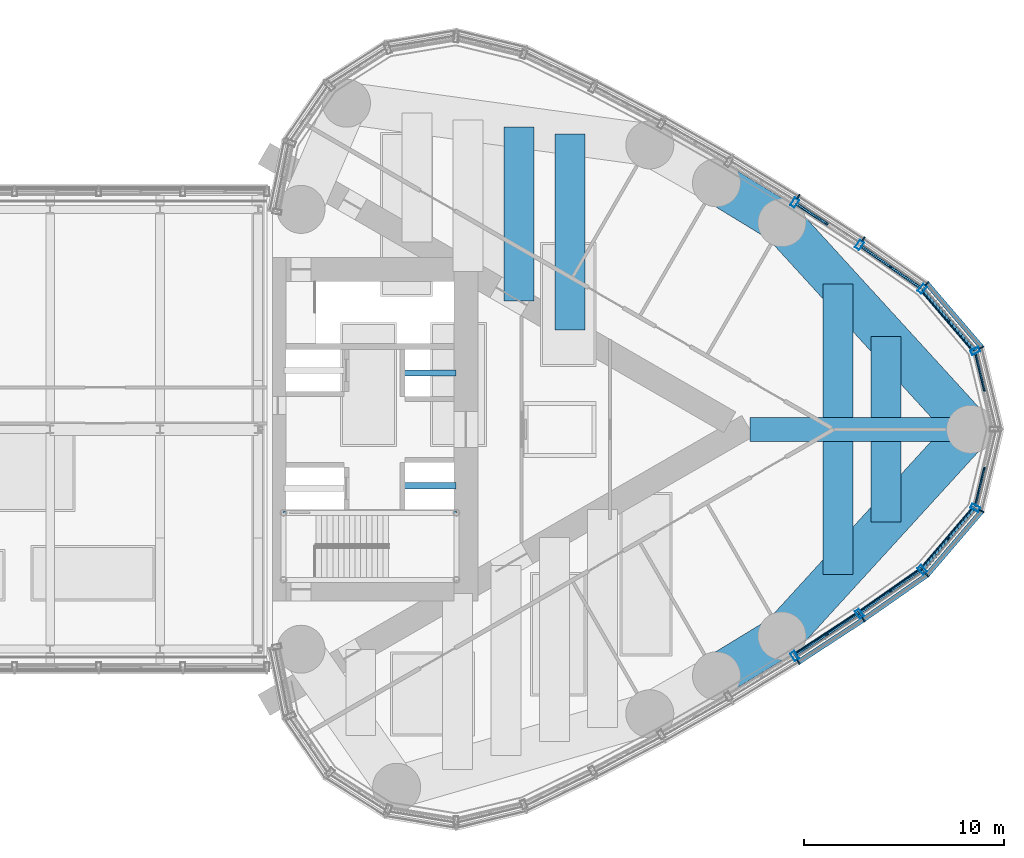
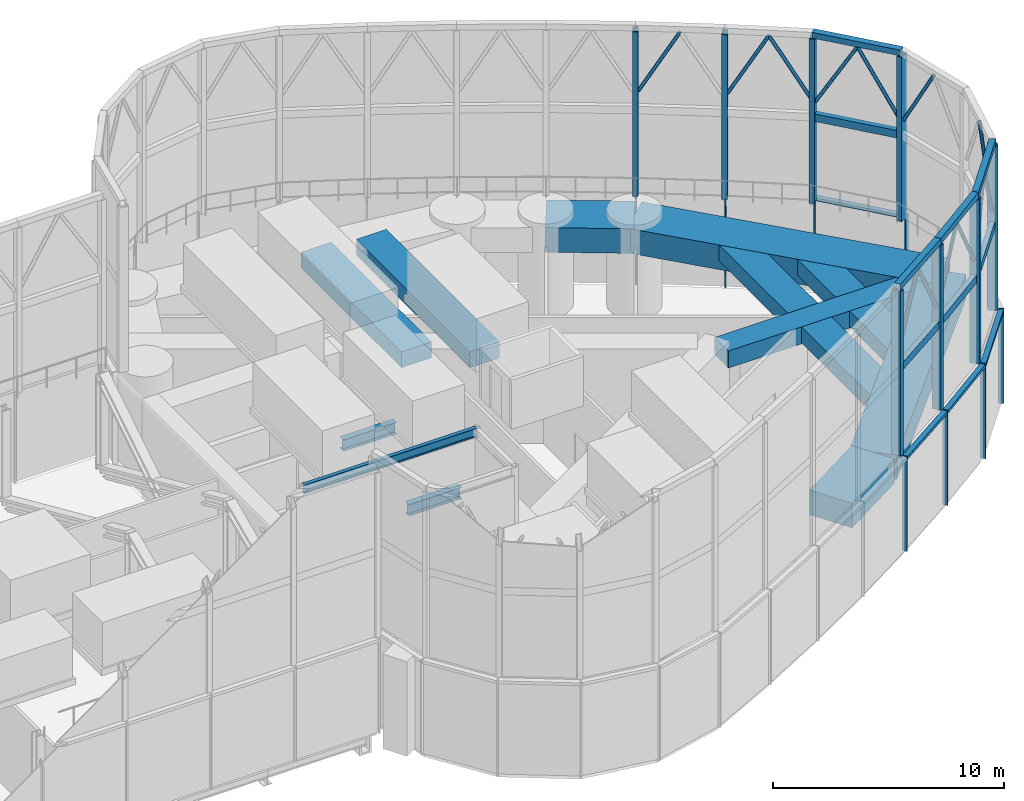
# One storey, part 17 of 33: 41 members, 14 beams, 2 elements without a shape of their own.
"""IFC4 building model written with IfcOpenShell, lengths in metres."""

from ifc_helpers import new_model, si_unit, direction, frame, origin, origin_2d, place, context, subcontext, project, spatial, rectangle, hollow_rectangle, hollow_circle, i_section, extrude, material, material_profile, profile_set, type_object, element, aggregate, save


model = new_model("IFC4")

# Units and contexts
model_context = context("Model", 3, precision=1e-05, world=origin(), true_north=direction((0.0, 1.0)))
body_context = subcontext(model_context, "Body", "Model", "MODEL_VIEW")
ifc_project = project(units=[si_unit("LENGTHUNIT", "METRE"), si_unit("AREAUNIT", "SQUARE_METRE"), si_unit("VOLUMEUNIT", "CUBIC_METRE"), si_unit("PLANEANGLEUNIT", "RADIAN"), si_unit("MASSUNIT", "GRAM", prefix="KILO")], contexts=[model_context])

# Site, building, storey
site_placement = place(None, origin())
site = spatial("IfcSite", under=ifc_project, at=site_placement, CompositionType="ELEMENT")
building_placement = place(site_placement, origin())
building = spatial("IfcBuilding", under=site, at=building_placement, Name="Lancet Gate Hotel", CompositionType="ELEMENT")
storey_placement = place(building_placement, frame((0.0, 0.0, 268.300048828125)))
storey = spatial("IfcBuildingStorey", under=building, at=storey_placement, Name="L70", CompositionType="ELEMENT", Elevation=268.300048828125)

# Curtain wall, members
ifc_material_1 = material(Name="Aluminium curtain wall", Category="aluminium")
curtain_wall_type_1 = type_object("IfcCurtainWallType", Name="Lantern crown glazing", PredefinedType="USERDEFINED", material=ifc_material_1)
curtain_wall_1_placement = place(storey_placement, origin())
curtain_wall_1 = element("IfcCurtainWall", 1, at=curtain_wall_1_placement, inside=storey, type_object=curtain_wall_type_1, Name="T2 L70 curtain wall 1", ObjectType="LANTERN GLAZING", PredefinedType="USERDEFINED")
ifc_material_2 = material(Name="Aluminium mullion", Category="aluminium")
ifc_material_profile_1 = material_profile(ifc_material_2, rectangle(XDim=0.06494140625, YDim=0.25, at=origin_2d()), Name="MULLION 65x250")
ifc_profile_set_1 = profile_set([ifc_material_profile_1], Name="Aluminium mullion")
member_type_1 = type_object("IfcMemberType", Name="Aluminium mullion 65x250", PredefinedType="MULLION", material=ifc_profile_set_1)
member_1_placement = place(storey_placement, frame((53.935791015625, -11.644287109375, 0.0), z_axis=(0.0, 0.0, 1.0), x_axis=(0.845339753513, 0.534229071777, 0.0)))
member_1 = element("IfcMember", 2, at=member_1_placement, type_object=member_type_1, Name="T2 L70 curtain wall 1 mullion 10", PredefinedType="MULLION", context=body_context, shape_type="SweptSolid", body=[
    extrude(rectangle(XDim=0.06494140625, YDim=0.25, at=origin_2d()), origin(), (0.0, 0.0, 1.0), 5.0),
])
member_2_placement = place(storey_placement, frame((57.185791015625, -9.518310546875, 0.0), z_axis=(0.0, 0.0, 1.0), x_axis=(0.828154697184, 0.560499596371, 0.0)))
member_2 = element("IfcMember", 3, at=member_2_placement, type_object=member_type_1, Name="T2 L70 curtain wall 1 mullion 11", PredefinedType="MULLION", context=body_context, shape_type="SweptSolid", body=[
    extrude(rectangle(XDim=0.06494140625, YDim=0.25, at=origin_2d()), origin(), (0.0, 0.0, 1.0), 5.0),
])
member_3_placement = place(storey_placement, frame((60.367431640625, -7.291259765625, 0.0), z_axis=(0.0, 0.0, 1.0), x_axis=(0.737323173512, 0.675540182226, 0.0)))
member_3 = element("IfcMember", 4, at=member_3_placement, type_object=member_type_1, Name="T2 L70 curtain wall 1 mullion 12", PredefinedType="MULLION", context=body_context, shape_type="SweptSolid", body=[
    extrude(rectangle(XDim=0.06494140625, YDim=0.25, at=origin_2d()), origin(), (0.0, 0.0, 1.0), 5.0),
])
member_4_placement = place(storey_placement, frame((63.1064453125, -4.09375, 0.0), z_axis=(0.0, 0.0, 1.0), x_axis=(0.454852851296, 0.890566608215, 0.0)))
member_4 = element("IfcMember", 5, at=member_4_placement, type_object=member_type_1, Name="T2 L70 curtain wall 1 mullion 13", PredefinedType="MULLION", context=body_context, shape_type="SweptSolid", body=[
    extrude(rectangle(XDim=0.06494140625, YDim=0.25, at=origin_2d()), origin(), (0.0, 0.0, 1.0), 5.0),
])
member_5_placement = place(storey_placement, frame((63.1064453125, 4.09375, 0.0), z_axis=(0.0, 0.0, 1.0), x_axis=(-0.454852851296, 0.890566608215, 0.0)))
member_5 = element("IfcMember", 6, at=member_5_placement, type_object=member_type_1, Name="T2 L70 curtain wall 1 mullion 15", PredefinedType="MULLION", context=body_context, shape_type="SweptSolid", body=[
    extrude(rectangle(XDim=0.06494140625, YDim=0.25, at=origin_2d()), origin(), (0.0, 0.0, 1.0), 5.0),
])
member_6_placement = place(storey_placement, frame((60.367431640625, 7.291259765625, 0.0), z_axis=(0.0, 0.0, 1.0), x_axis=(-0.737323173512, 0.675540182226, 0.0)))
member_6 = element("IfcMember", 7, at=member_6_placement, type_object=member_type_1, Name="T2 L70 curtain wall 1 mullion 16", PredefinedType="MULLION", context=body_context, shape_type="SweptSolid", body=[
    extrude(rectangle(XDim=0.06494140625, YDim=0.25, at=origin_2d()), origin(), (0.0, 0.0, 1.0), 5.0),
])
member_7_placement = place(storey_placement, frame((57.185791015625, 9.518310546875, 0.0), z_axis=(0.0, 0.0, 1.0), x_axis=(-0.828154697184, 0.560499596371, 0.0)))
member_7 = element("IfcMember", 8, at=member_7_placement, type_object=member_type_1, Name="T2 L70 curtain wall 1 mullion 17", PredefinedType="MULLION", context=body_context, shape_type="SweptSolid", body=[
    extrude(rectangle(XDim=0.06494140625, YDim=0.25, at=origin_2d()), origin(), (0.0, 0.0, 1.0), 5.0),
])
member_8_placement = place(storey_placement, frame((53.935791015625, 11.644287109375, 0.0), z_axis=(0.0, 0.0, 1.0), x_axis=(-0.845339753513, 0.534229071777, 0.0)))
member_8 = element("IfcMember", 9, at=member_8_placement, type_object=member_type_1, Name="T2 L70 curtain wall 1 mullion 18", PredefinedType="MULLION", context=body_context, shape_type="SweptSolid", body=[
    extrude(rectangle(XDim=0.06494140625, YDim=0.25, at=origin_2d()), origin(), (0.0, 0.0, 1.0), 5.0),
])
ifc_material_3 = material(Name="Aluminium transom", Category="aluminium")
ifc_material_profile_2 = material_profile(ifc_material_3, rectangle(XDim=0.25, YDim=0.14990234375, at=origin_2d()), Name="TRANSOM 250x150")
ifc_profile_set_2 = profile_set([ifc_material_profile_2], Name="Aluminium transom")
member_type_2 = type_object("IfcMemberType", Name="Aluminium transom 250x150", PredefinedType="USERDEFINED", material=ifc_profile_set_2)
member_9_placement = place(storey_placement, frame((53.962890625, -11.62646484375, 4.925048828125), z_axis=(0.836858089593, 0.547419891749, 0.0), x_axis=(-0.547419891749, 0.836858089593, 0.0)))
member_9 = element("IfcMember", 10, at=member_9_placement, type_object=member_type_2, Name="T2 L70 curtain wall 1 transom 10", ObjectType="TRANSOM", PredefinedType="USERDEFINED", context=body_context, shape_type="SweptSolid", body=[
    extrude(rectangle(XDim=0.25, YDim=0.14990234375, at=origin_2d()), origin(), (0.0, 0.0, 1.0), 3.818603515625),
])
member_10_placement = place(storey_placement, frame((57.21240234375, -9.499755859375, 4.925048828125), z_axis=(0.819255948852, 0.573428016642, 0.0), x_axis=(-0.573428016642, 0.819255948852, 0.0)))
member_10 = element("IfcMember", 11, at=member_10_placement, type_object=member_type_2, Name="T2 L70 curtain wall 1 transom 11", ObjectType="TRANSOM", PredefinedType="USERDEFINED", context=body_context, shape_type="SweptSolid", body=[
    extrude(rectangle(XDim=0.25, YDim=0.14990234375, at=origin_2d()), origin(), (0.0, 0.0, 1.0), 3.818603515625),
])
member_11_placement = place(storey_placement, frame((60.388427734375, -7.2666015625, 4.925048828125), z_axis=(0.650592500186, 0.759427019997, 0.0), x_axis=(-0.759427019997, 0.650592500186, 0.0)))
member_11 = element("IfcMember", 12, at=member_11_placement, type_object=member_type_2, Name="T2 L70 curtain wall 1 transom 12", ObjectType="TRANSOM", PredefinedType="USERDEFINED", context=body_context, shape_type="SweptSolid", body=[
    extrude(rectangle(XDim=0.25, YDim=0.14990234375, at=origin_2d()), origin(), (0.0, 0.0, 1.0), 4.1455078125),
])
member_12_placement = place(storey_placement, frame((63.08544921875, 4.118408203125, 4.925048828125), z_axis=(-0.650592500186, 0.759427019997, 0.0), x_axis=(-0.759427019997, -0.650592500186, 0.0)))
member_12 = element("IfcMember", 13, at=member_12_placement, type_object=member_type_2, Name="T2 L70 curtain wall 1 transom 15", ObjectType="TRANSOM", PredefinedType="USERDEFINED", context=body_context, shape_type="SweptSolid", body=[
    extrude(rectangle(XDim=0.25, YDim=0.14990234375, at=origin_2d()), origin(), (0.0, 0.0, 1.0), 4.1455078125),
])
aggregate(curtain_wall_1, [member_1, member_2, member_3, member_4, member_5, member_6, member_7, member_8, member_9, member_10, member_11, member_12])

# Beams
ifc_material_4 = material(Name="Concrete C50/60", Category="concrete")
ifc_material_profile_3 = material_profile(ifc_material_4, rectangle(XDim=2.10009765625, YDim=1.300048828125, at=origin_2d()), Name="RC 2100x1300")
ifc_profile_set_3 = profile_set([ifc_material_profile_3], Name="Concrete C50/60")
beam_type_1 = type_object("IfcBeamType", Name="Edge beam RC 2100x1300", PredefinedType="SPANDREL", material=ifc_profile_set_3)
beam_1_placement = place(storey_placement, frame((49.833984375, -12.331787109375, 4.050048828125), z_axis=(0.853604257265, 0.520922040212, 0.0), x_axis=(-0.520922040212, 0.853604257265, 0.0)))
element("IfcBeam", 14, at=beam_1_placement, inside=storey, type_object=beam_type_1, Name="T2 edge beam EB1 L70", PredefinedType="SPANDREL", context=body_context, shape_type="SweptSolid", body=[
    extrude(rectangle(XDim=2.10009765625, YDim=1.300048828125, at=origin_2d()), origin(), (0.0, 0.0, 1.0), 3.835205078125),
])
for number, where, z_axis, x_axis, name in (
    (15, (53.107666015625, -10.333984375, 4.050048828125), (0.674209372947, 0.738540263919, 0.0), (-0.738540263919, 0.674209372947, 0.0), "T2 edge beam EB1 L70"),
    (16, (62.54150390625, 0.0, 4.050048828125), (-0.674209372947, 0.738540263919, 0.0), (-0.738540263919, -0.674209372947, 0.0), "T2 edge beam EB1 L70"),
):
    element("IfcBeam", number, at=place(storey_placement, frame(where, z_axis=z_axis, x_axis=x_axis)), inside=storey, type_object=beam_type_1, Name=name, PredefinedType="SPANDREL", context=body_context, shape_type="SweptSolid", body=[
        extrude(rectangle(XDim=2.10009765625, YDim=1.300048828125, at=origin_2d()), origin(), (0.0, 0.0, 1.0), 13.992431640625),
    ])
beam_2_placement = place(storey_placement, frame((53.107666015625, 10.333984375, 4.050048828125), z_axis=(-0.853604257265, 0.520922040212, 0.0), x_axis=(-0.520922040212, -0.853604257265, 0.0)))
element("IfcBeam", 17, at=beam_2_placement, inside=storey, type_object=beam_type_1, Name="T2 edge beam EB1 L70", PredefinedType="SPANDREL", context=body_context, shape_type="SweptSolid", body=[
    extrude(rectangle(XDim=2.10009765625, YDim=1.300048828125, at=origin_2d()), origin(), (0.0, 0.0, 1.0), 3.835205078125),
])
ifc_material_5 = material(Name="Concrete C50/60", Category="concrete")
ifc_material_profile_4 = material_profile(ifc_material_5, rectangle(XDim=1.5, YDim=0.85009765625, at=origin_2d()), Name="RC 1500x850")
ifc_profile_set_4 = profile_set([ifc_material_profile_4], Name="Concrete C50/60")
beam_type_2 = type_object("IfcBeamType", Name="Floor beam RC 1500x850", PredefinedType="BEAM", material=ifc_profile_set_4)
beam_3_placement = place(storey_placement, frame((39.9658203125, 6.429443359375, 4.27490234375), z_axis=(0.0, 1.0, 0.0), x_axis=(-1.0, 0.0, 0.0)))
element("IfcBeam", 18, at=beam_3_placement, inside=storey, type_object=beam_type_2, Name="T2 floor beam F06N L70", PredefinedType="BEAM", context=body_context, shape_type="SweptSolid", body=[
    extrude(rectangle(XDim=1.5, YDim=0.85009765625, at=origin_2d()), origin(), (0.0, 0.0, 1.0), 8.694091796875),
])
beam_4_placement = place(storey_placement, frame((42.51904296875, 4.95556640625, 4.27490234375), z_axis=(0.0, 1.0, 0.0), x_axis=(-1.0, 0.0, 0.0)))
element("IfcBeam", 19, at=beam_4_placement, inside=storey, type_object=beam_type_2, Name="T2 floor beam F08N L70", PredefinedType="BEAM", context=body_context, shape_type="SweptSolid", body=[
    extrude(rectangle(XDim=1.5, YDim=0.85009765625, at=origin_2d()), origin(), (0.0, 0.0, 1.0), 9.817138671875),
])
for number, where, z_axis, x_axis, name in (
    (20, (55.90234375, -7.272705078125, 4.27490234375), (0.0, 1.0, 0.0), (-1.0, 0.0, 0.0), "T2 floor beam F10S L70"),
    (21, (55.90234375, 0.60009765625, 4.27490234375), (0.0, 1.0, 0.0), (-1.0, 0.0, 0.0), "T2 floor beam F11N L70"),
):
    element("IfcBeam", number, at=place(storey_placement, frame(where, z_axis=z_axis, x_axis=x_axis)), inside=storey, type_object=beam_type_2, Name=name, PredefinedType="BEAM", context=body_context, shape_type="SweptSolid", body=[
        extrude(rectangle(XDim=1.5, YDim=0.85009765625, at=origin_2d()), origin(), (0.0, 0.0, 1.0), 6.672607421875),
    ])
for number, where, z_axis, x_axis, name in (
    (22, (58.30224609375, -4.643798828125, 4.27490234375), (0.0, 1.0, 0.0), (-1.0, 0.0, 0.0), "T2 floor beam F12S L70"),
    (23, (58.30224609375, 0.60009765625, 4.27490234375), (0.0, 1.0, 0.0), (-1.0, 0.0, 0.0), "T2 floor beam F13N L70"),
):
    element("IfcBeam", number, at=place(storey_placement, frame(where, z_axis=z_axis, x_axis=x_axis)), inside=storey, type_object=beam_type_2, Name=name, PredefinedType="BEAM", context=body_context, shape_type="SweptSolid", body=[
        extrude(rectangle(XDim=1.5, YDim=0.85009765625, at=origin_2d()), origin(), (0.0, 0.0, 1.0), 4.043701171875),
    ])
ifc_material_6 = material(Name="Steel S355", Category="steel")
ifc_material_profile_5 = material_profile(ifc_material_6, i_section(OverallWidth=0.19140625, OverallDepth=0.4599609375, WebThickness=0.010009765625, FlangeThickness=0.01611328125, FilletRadius=0.01025390625, at=origin_2d()), Name="UKB 457x191x82")
ifc_profile_set_5 = profile_set([ifc_material_profile_5], Name="Steel S355")
beam_type_3 = type_object("IfcBeamType", Name="Head-house beam UKB 457x191x82", PredefinedType="BEAM", material=ifc_profile_set_5)
beam_5_placement = place(storey_placement, frame((28.175048828125, -4.175048828125, 7.77001953125), z_axis=(1.0, 0.0, 0.0), x_axis=(0.0, 1.0, 0.0)))
element("IfcBeam", 24, at=beam_5_placement, inside=storey, type_object=beam_type_3, Name="T2 head-house beam inner", PredefinedType="BEAM", context=body_context, shape_type="SweptSolid", body=[
    extrude(i_section(OverallWidth=0.19140625, OverallDepth=0.4599609375, WebThickness=0.010009765625, FlangeThickness=0.01611328125, FilletRadius=0.01025390625, at=origin_2d()), origin(), (0.0, 0.0, 1.0), 8.64990234375),
])

# Curtain wall, members
ifc_material_7 = material(Name="Steel framed lantern screen", Category="steel")
curtain_wall_type_2 = type_object("IfcCurtainWallType", Name="Lantern screen", PredefinedType="USERDEFINED", material=ifc_material_7)
curtain_wall_2_placement = place(storey_placement, origin())
curtain_wall_2 = element("IfcCurtainWall", 25, at=curtain_wall_2_placement, inside=storey, type_object=curtain_wall_type_2, Name="T2 lantern screen 1", ObjectType="LANTERN SCREEN", PredefinedType="USERDEFINED")
ifc_material_8 = material(Name="Steel S355", Category="steel")
ifc_material_profile_6 = material_profile(ifc_material_8, hollow_rectangle(XDim=0.300048828125, YDim=0.300048828125, WallThickness=0.012451171875, at=origin_2d()), Name="RHS 300x300x12.5")
ifc_profile_set_6 = profile_set([ifc_material_profile_6], Name="Steel S355")
member_type_3 = type_object("IfcMemberType", Name="Lantern cap beam RHS 300x300x12.5", PredefinedType="USERDEFINED", material=ifc_profile_set_6)
member_13_placement = place(storey_placement, frame((53.743408203125, -11.340087890625, 13.849853515625), z_axis=(0.836839639079, 0.547448096596, 0.0), x_axis=(-0.547448096596, 0.836839639079, 0.0)))
member_13 = element("IfcMember", 26, at=member_13_placement, type_object=member_type_3, Name="T2 lantern screen 1 cap 10", ObjectType="LANTERN FRAME", PredefinedType="USERDEFINED", context=body_context, shape_type="SweptSolid", body=[
    extrude(hollow_rectangle(XDim=0.300048828125, YDim=0.300048828125, WallThickness=0.012451171875, at=origin_2d()), origin(), (0.0, 0.0, 1.0), 3.872314453125),
])
member_14_placement = place(storey_placement, frame((56.98388671875, -9.22021484375, 13.849853515625), z_axis=(0.819231920519, 0.573462344363, 0.0), x_axis=(-0.573462344363, 0.819231920519, 0.0)))
member_14 = element("IfcMember", 27, at=member_14_placement, type_object=member_type_3, Name="T2 lantern screen 1 cap 11", ObjectType="LANTERN FRAME", PredefinedType="USERDEFINED", context=body_context, shape_type="SweptSolid", body=[
    extrude(hollow_rectangle(XDim=0.300048828125, YDim=0.300048828125, WallThickness=0.012451171875, at=origin_2d()), origin(), (0.0, 0.0, 1.0), 3.83251953125),
])
member_15_placement = place(storey_placement, frame((60.12353515625, -7.0224609375, 13.849853515625), z_axis=(0.650594154811, 0.759425602496, 0.0), x_axis=(-0.759425602496, 0.650594154811, 0.0)))
member_15 = element("IfcMember", 28, at=member_15_placement, type_object=member_type_3, Name="T2 lantern screen 1 cap 12", ObjectType="LANTERN FRAME", PredefinedType="USERDEFINED", context=body_context, shape_type="SweptSolid", body=[
    extrude(hollow_rectangle(XDim=0.300048828125, YDim=0.300048828125, WallThickness=0.012451171875, at=origin_2d()), origin(), (0.0, 0.0, 1.0), 4.078369140625),
])
member_16_placement = place(storey_placement, frame((62.77685546875, 3.92529296875, 13.849853515625), z_axis=(-0.650594154811, 0.759425602496, 0.0), x_axis=(-0.759425602496, -0.650594154811, 0.0)))
member_16 = element("IfcMember", 29, at=member_16_placement, type_object=member_type_3, Name="T2 lantern screen 1 cap 15", ObjectType="LANTERN FRAME", PredefinedType="USERDEFINED", context=body_context, shape_type="SweptSolid", body=[
    extrude(hollow_rectangle(XDim=0.300048828125, YDim=0.300048828125, WallThickness=0.012451171875, at=origin_2d()), origin(), (0.0, 0.0, 1.0), 4.078369140625),
])
ifc_material_9 = material(Name="Steel S355", Category="steel")
ifc_material_profile_7 = material_profile(ifc_material_9, hollow_rectangle(XDim=0.25, YDim=0.449951171875, WallThickness=0.01611328125, at=origin_2d()), Name="RHS 450x250x16")
ifc_profile_set_7 = profile_set([ifc_material_profile_7], Name="Steel S355")
member_type_4 = type_object("IfcMemberType", Name="Lantern frame post RHS 450x250x16", PredefinedType="USERDEFINED", material=ifc_profile_set_7)
member_17_placement = place(storey_placement, frame((53.743408203125, -11.340087890625, 5.0), z_axis=(0.0, 0.0, 1.0), x_axis=(0.845339753513, 0.534229071777, 0.0)))
member_17 = element("IfcMember", 30, at=member_17_placement, type_object=member_type_4, Name="T2 lantern screen 1 frame post 10", ObjectType="LANTERN FRAME", PredefinedType="USERDEFINED", context=body_context, shape_type="SweptSolid", body=[
    extrude(hollow_rectangle(XDim=0.25, YDim=0.449951171875, WallThickness=0.01611328125, at=origin_2d()), origin(), (0.0, 0.0, 1.0), 8.699951171875),
])
member_18_placement = place(storey_placement, frame((56.98388671875, -9.22021484375, 5.0), z_axis=(0.0, 0.0, 1.0), x_axis=(0.828154697184, 0.560499596371, 0.0)))
member_18 = element("IfcMember", 31, at=member_18_placement, type_object=member_type_4, Name="T2 lantern screen 1 frame post 11", ObjectType="LANTERN FRAME", PredefinedType="USERDEFINED", context=body_context, shape_type="SweptSolid", body=[
    extrude(hollow_rectangle(XDim=0.25, YDim=0.449951171875, WallThickness=0.01611328125, at=origin_2d()), origin(), (0.0, 0.0, 1.0), 8.699951171875),
])
member_19_placement = place(storey_placement, frame((60.12353515625, -7.0224609375, 5.0), z_axis=(0.0, 0.0, 1.0), x_axis=(0.740766431142, 0.671762677211, 0.0)))
member_19 = element("IfcMember", 32, at=member_19_placement, type_object=member_type_4, Name="T2 lantern screen 1 frame post 12", ObjectType="LANTERN FRAME", PredefinedType="USERDEFINED", context=body_context, shape_type="SweptSolid", body=[
    extrude(hollow_rectangle(XDim=0.25, YDim=0.449951171875, WallThickness=0.01611328125, at=origin_2d()), origin(), (0.0, 0.0, 1.0), 8.699951171875),
])
member_20_placement = place(storey_placement, frame((62.77685546875, -3.92529296875, 5.0), z_axis=(0.0, 0.0, 1.0), x_axis=(0.454852851296, 0.890566608215, 0.0)))
member_20 = element("IfcMember", 33, at=member_20_placement, type_object=member_type_4, Name="T2 lantern screen 1 frame post 13", ObjectType="LANTERN FRAME", PredefinedType="USERDEFINED", context=body_context, shape_type="SweptSolid", body=[
    extrude(hollow_rectangle(XDim=0.25, YDim=0.449951171875, WallThickness=0.01611328125, at=origin_2d()), origin(), (0.0, 0.0, 1.0), 8.699951171875),
])
member_21_placement = place(storey_placement, frame((62.77685546875, 3.92529296875, 5.0), z_axis=(0.0, 0.0, 1.0), x_axis=(-0.454852851296, 0.890566608215, 0.0)))
member_21 = element("IfcMember", 34, at=member_21_placement, type_object=member_type_4, Name="T2 lantern screen 1 frame post 15", ObjectType="LANTERN FRAME", PredefinedType="USERDEFINED", context=body_context, shape_type="SweptSolid", body=[
    extrude(hollow_rectangle(XDim=0.25, YDim=0.449951171875, WallThickness=0.01611328125, at=origin_2d()), origin(), (0.0, 0.0, 1.0), 8.699951171875),
])
member_22_placement = place(storey_placement, frame((60.12353515625, 7.0224609375, 5.0), z_axis=(0.0, 0.0, 1.0), x_axis=(-0.740766431142, 0.671762677211, 0.0)))
member_22 = element("IfcMember", 35, at=member_22_placement, type_object=member_type_4, Name="T2 lantern screen 1 frame post 16", ObjectType="LANTERN FRAME", PredefinedType="USERDEFINED", context=body_context, shape_type="SweptSolid", body=[
    extrude(hollow_rectangle(XDim=0.25, YDim=0.449951171875, WallThickness=0.01611328125, at=origin_2d()), origin(), (0.0, 0.0, 1.0), 8.699951171875),
])
member_23_placement = place(storey_placement, frame((56.98388671875, 9.22021484375, 5.0), z_axis=(0.0, 0.0, 1.0), x_axis=(-0.828154697184, 0.560499596371, 0.0)))
member_23 = element("IfcMember", 36, at=member_23_placement, type_object=member_type_4, Name="T2 lantern screen 1 frame post 17", ObjectType="LANTERN FRAME", PredefinedType="USERDEFINED", context=body_context, shape_type="SweptSolid", body=[
    extrude(hollow_rectangle(XDim=0.25, YDim=0.449951171875, WallThickness=0.01611328125, at=origin_2d()), origin(), (0.0, 0.0, 1.0), 8.699951171875),
])
member_24_placement = place(storey_placement, frame((53.743408203125, 11.340087890625, 5.0), z_axis=(0.0, 0.0, 1.0), x_axis=(-0.845339753513, 0.534229071777, 0.0)))
member_24 = element("IfcMember", 37, at=member_24_placement, type_object=member_type_4, Name="T2 lantern screen 1 frame post 18", ObjectType="LANTERN FRAME", PredefinedType="USERDEFINED", context=body_context, shape_type="SweptSolid", body=[
    extrude(hollow_rectangle(XDim=0.25, YDim=0.449951171875, WallThickness=0.01611328125, at=origin_2d()), origin(), (0.0, 0.0, 1.0), 8.699951171875),
])
ifc_material_10 = material(Name="Steel S355", Category="steel")
ifc_material_profile_8 = material_profile(ifc_material_10, hollow_circle(Radius=0.084228515625, WallThickness=0.008056640625, at=origin_2d()), Name="CHS 168.3x8.0")
ifc_profile_set_8 = profile_set([ifc_material_profile_8], Name="Steel S355")
member_type_5 = type_object("IfcMemberType", Name="Lantern lancet head CHS 168.3x8", PredefinedType="USERDEFINED", material=ifc_profile_set_8)
member_25_placement = place(storey_placement, frame((53.847900390625, -11.271484375, 10.43994140625), z_axis=(0.414568296308, 0.271192308522, 0.868670167264), x_axis=(-0.547430948659, 0.836850856754, 0.0)))
member_25 = element("IfcMember", 38, at=member_25_placement, type_object=member_type_5, Name="T2 lantern screen 1 lancet head 10A", ObjectType="LANTERN FRAME", PredefinedType="USERDEFINED", context=body_context, shape_type="SweptSolid", body=[
    extrude(hollow_circle(Radius=0.084228515625, WallThickness=0.008056640625, at=origin_2d()), origin(), (0.0, 0.0, 1.0), 3.656005859375),
])
member_26_placement = place(storey_placement, frame((56.87939453125, -9.28857421875, 10.43994140625), z_axis=(-0.414623596482, -0.271184800341, 0.868646117417), x_axis=(0.547369198902, -0.836891247471, 0.0)))
member_26 = element("IfcMember", 39, at=member_26_placement, type_object=member_type_5, Name="T2 lantern screen 1 lancet head 10B", ObjectType="LANTERN FRAME", PredefinedType="USERDEFINED", context=body_context, shape_type="SweptSolid", body=[
    extrude(hollow_circle(Radius=0.084228515625, WallThickness=0.008056640625, at=origin_2d()), origin(), (0.0, 0.0, 1.0), 3.656005859375),
])
member_27_placement = place(storey_placement, frame((57.08642578125, -9.1484375, 10.475830078125), z_axis=(0.405910378513, 0.284137264959, 0.868621194352), x_axis=(-0.573462344363, 0.819231920519, 0.0)))
member_27 = element("IfcMember", 40, at=member_27_placement, type_object=member_type_5, Name="T2 lantern screen 1 lancet head 11A", ObjectType="LANTERN FRAME", PredefinedType="USERDEFINED", context=body_context, shape_type="SweptSolid", body=[
    extrude(hollow_circle(Radius=0.084228515625, WallThickness=0.008056640625, at=origin_2d()), origin(), (0.0, 0.0, 1.0), 3.61474609375),
])
member_28_placement = place(storey_placement, frame((60.021240234375, -7.09423828125, 10.475830078125), z_axis=(-0.405966787386, -0.284129475051, 0.868597380232), x_axis=(0.573398310818, -0.819276740272, 0.0)))
member_28 = element("IfcMember", 41, at=member_28_placement, type_object=member_type_5, Name="T2 lantern screen 1 lancet head 11B", ObjectType="LANTERN FRAME", PredefinedType="USERDEFINED", context=body_context, shape_type="SweptSolid", body=[
    extrude(hollow_circle(Radius=0.084228515625, WallThickness=0.008056640625, at=origin_2d()), origin(), (0.0, 0.0, 1.0), 3.614990234375),
])
member_29_placement = place(storey_placement, frame((60.204833984375, -6.927734375, 10.300048828125), z_axis=(0.325276949625, 0.379734215843, 0.866023574368), x_axis=(-0.759463618769, 0.650549776548, 0.0)))
member_29 = element("IfcMember", 42, at=member_29_placement, type_object=member_type_5, Name="T2 lantern screen 1 lancet head 12A", ObjectType="LANTERN FRAME", PredefinedType="USERDEFINED", context=body_context, shape_type="SweptSolid", body=[
    extrude(hollow_circle(Radius=0.084228515625, WallThickness=0.008056640625, at=origin_2d()), origin(), (0.0, 0.0, 1.0), 3.82861328125),
])
member_30_placement = place(storey_placement, frame((62.695556640625, -4.020263671875, 10.300048828125), z_axis=(-0.325284825708, -0.379679641691, 0.866044543802), x_axis=(0.759409636719, -0.650612790881, 0.0)))
member_30 = element("IfcMember", 43, at=member_30_placement, type_object=member_type_5, Name="T2 lantern screen 1 lancet head 12B", ObjectType="LANTERN FRAME", PredefinedType="USERDEFINED", context=body_context, shape_type="SweptSolid", body=[
    extrude(hollow_circle(Radius=0.084228515625, WallThickness=0.008056640625, at=origin_2d()), origin(), (0.0, 0.0, 1.0), 3.82861328125),
])
member_31_placement = place(storey_placement, frame((62.805908203125, -3.8037109375, 10.300048828125), z_axis=(0.116049810978, 0.482166184344, 0.868359494706), x_axis=(-0.972236131422, 0.234001933236, 0.0)))
member_31 = element("IfcMember", 44, at=member_31_placement, type_object=member_type_5, Name="T2 lantern screen 1 lancet head 13A", ObjectType="LANTERN FRAME", PredefinedType="USERDEFINED", context=body_context, shape_type="SweptSolid", body=[
    extrude(hollow_circle(Radius=0.084228515625, WallThickness=0.008056640625, at=origin_2d()), origin(), (0.0, 0.0, 1.0), 3.818359375),
])
member_32_placement = place(storey_placement, frame((62.805908203125, 3.8037109375, 10.300048828125), z_axis=(0.116049810978, -0.482166184344, 0.868359494706), x_axis=(0.972236131422, 0.234001933236, 0.0)))
member_32 = element("IfcMember", 45, at=member_32_placement, type_object=member_type_5, Name="T2 lantern screen 1 lancet head 14B", ObjectType="LANTERN FRAME", PredefinedType="USERDEFINED", context=body_context, shape_type="SweptSolid", body=[
    extrude(hollow_circle(Radius=0.084228515625, WallThickness=0.008056640625, at=origin_2d()), origin(), (0.0, 0.0, 1.0), 3.818359375),
])
member_33_placement = place(storey_placement, frame((62.695556640625, 4.020263671875, 10.300048828125), z_axis=(-0.325284825708, 0.379679641691, 0.866044543802), x_axis=(-0.759409636719, -0.650612790881, 0.0)))
member_33 = element("IfcMember", 46, at=member_33_placement, type_object=member_type_5, Name="T2 lantern screen 1 lancet head 15A", ObjectType="LANTERN FRAME", PredefinedType="USERDEFINED", context=body_context, shape_type="SweptSolid", body=[
    extrude(hollow_circle(Radius=0.084228515625, WallThickness=0.008056640625, at=origin_2d()), origin(), (0.0, 0.0, 1.0), 3.82861328125),
])
member_34_placement = place(storey_placement, frame((60.204833984375, 6.927734375, 10.300048828125), z_axis=(0.325276949625, -0.379734215843, 0.866023574368), x_axis=(0.759463618769, 0.650549776548, 0.0)))
member_34 = element("IfcMember", 47, at=member_34_placement, type_object=member_type_5, Name="T2 lantern screen 1 lancet head 15B", ObjectType="LANTERN FRAME", PredefinedType="USERDEFINED", context=body_context, shape_type="SweptSolid", body=[
    extrude(hollow_circle(Radius=0.084228515625, WallThickness=0.008056640625, at=origin_2d()), origin(), (0.0, 0.0, 1.0), 3.82861328125),
])
member_35_placement = place(storey_placement, frame((60.021240234375, 7.09423828125, 10.475830078125), z_axis=(-0.405966787386, 0.284129475051, 0.868597380232), x_axis=(-0.573398310818, -0.819276740272, 0.0)))
member_35 = element("IfcMember", 48, at=member_35_placement, type_object=member_type_5, Name="T2 lantern screen 1 lancet head 16A", ObjectType="LANTERN FRAME", PredefinedType="USERDEFINED", context=body_context, shape_type="SweptSolid", body=[
    extrude(hollow_circle(Radius=0.084228515625, WallThickness=0.008056640625, at=origin_2d()), origin(), (0.0, 0.0, 1.0), 3.614990234375),
])
member_36_placement = place(storey_placement, frame((57.08642578125, 9.1484375, 10.475830078125), z_axis=(0.405910378513, -0.284137264959, 0.868621194352), x_axis=(0.573462344363, 0.819231920519, 0.0)))
member_36 = element("IfcMember", 49, at=member_36_placement, type_object=member_type_5, Name="T2 lantern screen 1 lancet head 16B", ObjectType="LANTERN FRAME", PredefinedType="USERDEFINED", context=body_context, shape_type="SweptSolid", body=[
    extrude(hollow_circle(Radius=0.084228515625, WallThickness=0.008056640625, at=origin_2d()), origin(), (0.0, 0.0, 1.0), 3.61474609375),
])
member_37_placement = place(storey_placement, frame((53.847900390625, 11.271484375, 10.43994140625), z_axis=(0.414568296308, -0.271192308522, 0.868670167264), x_axis=(0.547430948659, 0.836850856754, 0.0)))
member_37 = element("IfcMember", 50, at=member_37_placement, type_object=member_type_5, Name="T2 lantern screen 1 lancet head 17B", ObjectType="LANTERN FRAME", PredefinedType="USERDEFINED", context=body_context, shape_type="SweptSolid", body=[
    extrude(hollow_circle(Radius=0.084228515625, WallThickness=0.008056640625, at=origin_2d()), origin(), (0.0, 0.0, 1.0), 3.656005859375),
])
ifc_material_11 = material(Name="Steel S355", Category="steel")
ifc_material_profile_9 = material_profile(ifc_material_11, hollow_rectangle(XDim=0.25, YDim=0.39990234375, WallThickness=0.012451171875, at=origin_2d()), Name="RHS 400x250x12.5")
ifc_profile_set_9 = profile_set([ifc_material_profile_9], Name="Steel S355")
member_type_6 = type_object("IfcMemberType", Name="Lantern ring beam RHS 400x250x12.5", PredefinedType="USERDEFINED", material=ifc_profile_set_9)
member_38_placement = place(storey_placement, frame((53.847900390625, -11.271484375, 9.5), z_axis=(0.836871053821, 0.547400072412, 0.0), x_axis=(-0.547400072412, 0.836871053821, 0.0)))
member_38 = element("IfcMember", 51, at=member_38_placement, type_object=member_type_6, Name="T2 lantern screen 1 ring 10", ObjectType="LANTERN FRAME", PredefinedType="USERDEFINED", context=body_context, shape_type="SweptSolid", body=[
    extrude(hollow_rectangle(XDim=0.25, YDim=0.39990234375, WallThickness=0.012451171875, at=origin_2d()), origin(), (0.0, 0.0, 1.0), 3.622314453125),
])
member_39_placement = place(storey_placement, frame((57.08642578125, -9.1484375, 9.5), z_axis=(0.819254332273, 0.573430326241, 0.0), x_axis=(-0.573430326241, 0.819254332273, 0.0)))
member_39 = element("IfcMember", 52, at=member_39_placement, type_object=member_type_6, Name="T2 lantern screen 1 ring 11", ObjectType="LANTERN FRAME", PredefinedType="USERDEFINED", context=body_context, shape_type="SweptSolid", body=[
    extrude(hollow_rectangle(XDim=0.25, YDim=0.39990234375, WallThickness=0.012451171875, at=origin_2d()), origin(), (0.0, 0.0, 1.0), 3.582275390625),
])
member_40_placement = place(storey_placement, frame((60.204833984375, -6.927734375, 9.5), z_axis=(0.650581282748, 0.759436629705, 0.0), x_axis=(-0.759436629705, 0.650581282748, 0.0)))
member_40 = element("IfcMember", 53, at=member_40_placement, type_object=member_type_6, Name="T2 lantern screen 1 ring 12", ObjectType="LANTERN FRAME", PredefinedType="USERDEFINED", context=body_context, shape_type="SweptSolid", body=[
    extrude(hollow_rectangle(XDim=0.25, YDim=0.39990234375, WallThickness=0.012451171875, at=origin_2d()), origin(), (0.0, 0.0, 1.0), 3.828369140625),
])
member_41_placement = place(storey_placement, frame((62.695556640625, 4.020263671875, 9.5), z_axis=(-0.650581282748, 0.759436629705, 0.0), x_axis=(-0.759436629705, -0.650581282748, 0.0)))
member_41 = element("IfcMember", 54, at=member_41_placement, type_object=member_type_6, Name="T2 lantern screen 1 ring 15", ObjectType="LANTERN FRAME", PredefinedType="USERDEFINED", context=body_context, shape_type="SweptSolid", body=[
    extrude(hollow_rectangle(XDim=0.25, YDim=0.39990234375, WallThickness=0.012451171875, at=origin_2d()), origin(), (0.0, 0.0, 1.0), 3.828369140625),
])
aggregate(curtain_wall_2, [member_17, member_18, member_19, member_20, member_21, member_22, member_23, member_24, member_13, member_38, member_25, member_26, member_14, member_39, member_27, member_28, member_15, member_40, member_29, member_30, member_31, member_32, member_16, member_41, member_33, member_34, member_35, member_36, member_37])

# Beams
ifc_material_12 = material(Name="Steel S355", Category="steel")
ifc_material_profile_10 = material_profile(ifc_material_12, i_section(OverallWidth=0.3046875, OverallDepth=0.6123046875, WebThickness=0.01171875, FlangeThickness=0.019775390625, FilletRadius=0.0166015625, at=origin_2d()), Name="UKB 610x305x149")
ifc_profile_set_10 = profile_set([ifc_material_profile_10], Name="Steel S355")
beam_type_4 = type_object("IfcBeamType", Name="Lift lifting beam UKB 610x305x149", PredefinedType="BEAM", material=ifc_profile_set_10)
for number, where, z_axis, x_axis, name in (
    (55, (34.14990234375, -2.824951171875, 3.793701171875), (1.0, 0.0, 0.0), (0.0, 1.0, 0.0), "T2 lifting beam OL3"),
    (56, (34.14990234375, 2.824951171875, 3.793701171875), (1.0, 0.0, 0.0), (0.0, 1.0, 0.0), "T2 lifting beam OL4"),
):
    element("IfcBeam", number, at=place(storey_placement, frame(where, z_axis=z_axis, x_axis=x_axis)), inside=storey, type_object=beam_type_4, Name=name, PredefinedType="BEAM", context=body_context, shape_type="SweptSolid", body=[
        extrude(i_section(OverallWidth=0.3046875, OverallDepth=0.6123046875, WebThickness=0.01171875, FlangeThickness=0.019775390625, FilletRadius=0.0166015625, at=origin_2d()), origin(), (0.0, 0.0, 1.0), 2.650146484375),
    ])
ifc_material_13 = material(Name="Concrete C50/60", Category="concrete")
ifc_material_profile_11 = material_profile(ifc_material_13, rectangle(XDim=1.199951171875, YDim=0.89990234375, at=origin_2d()), Name="RC 1200x900")
ifc_profile_set_11 = profile_set([ifc_material_profile_11], Name="Concrete C50/60")
beam_type_5 = type_object("IfcBeamType", Name="Radial floor beam RC 1200x900", PredefinedType="BEAM", material=ifc_profile_set_11)
beam_6_placement = place(storey_placement, frame((62.54150390625, 0.0, 4.25), z_axis=(-1.0, 0.0, 0.0), x_axis=(0.0, -1.0, 0.0)))
element("IfcBeam", 57, at=beam_6_placement, inside=storey, type_object=beam_type_5, Name="T2 radial beam CA L70", PredefinedType="BEAM", context=body_context, shape_type="SweptSolid", body=[
    extrude(rectangle(XDim=1.199951171875, YDim=0.89990234375, at=origin_2d()), origin(), (0.0, 0.0, 1.0), 11.039306640625),
])

save(model, "model.ifc")
